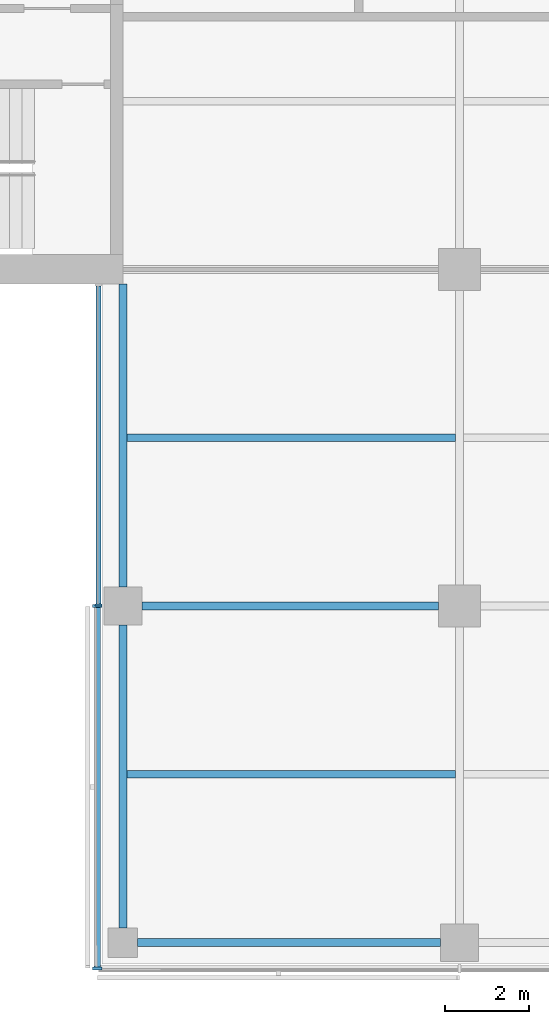
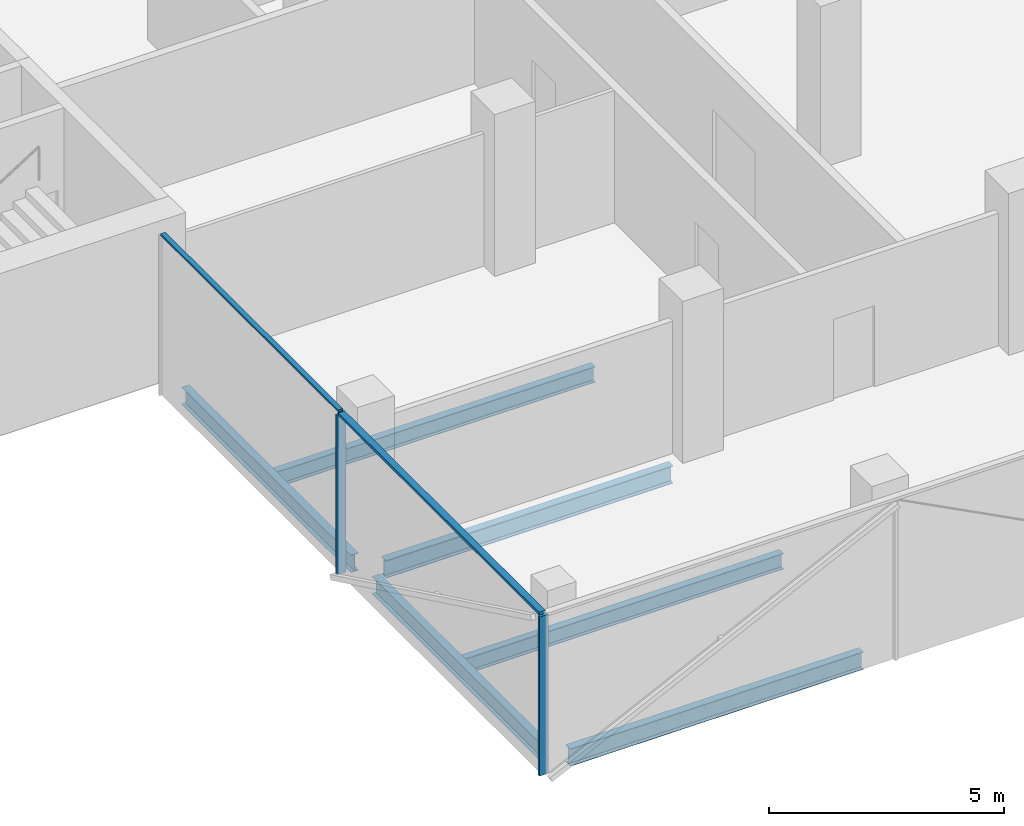
# One storey, part 2 of 22: 6 beams, 5 members, 2 elements without a shape of their own.
"""IFC4 building model written with IfcOpenShell, lengths in metres."""

from ifc_helpers import new_model, si_unit, direction, frame, origin, origin_2d, place, context, subcontext, project, spatial, rectangle, i_section, extrude, material, material_profile, profile_set, type_object, element, aggregate, save


model = new_model("IFC4")

# Units and contexts
model_context = context("Model", 3, precision=1e-05, world=origin(), true_north=direction((0.0, 1.0)))
body_context = subcontext(model_context, "Body", "Model", "MODEL_VIEW")
ifc_project = project(units=[si_unit("LENGTHUNIT", "METRE"), si_unit("AREAUNIT", "SQUARE_METRE"), si_unit("VOLUMEUNIT", "CUBIC_METRE"), si_unit("PLANEANGLEUNIT", "RADIAN"), si_unit("MASSUNIT", "GRAM", prefix="KILO")], contexts=[model_context])

# Site, building, storey
site_placement = place(None, origin())
site = spatial("IfcSite", under=ifc_project, at=site_placement, CompositionType="ELEMENT")
building_placement = place(site_placement, origin())
building = spatial("IfcBuilding", under=site, at=building_placement, Name="Crosswind Convention Tower", CompositionType="ELEMENT")
storey_placement = place(building_placement, frame((0.0, 0.0, 142.10009765625)))
storey = spatial("IfcBuildingStorey", under=building, at=storey_placement, Name="L29", CompositionType="ELEMENT", Elevation=142.10009765625)

# Beams
ifc_material_1 = material(Name="Steel S355", Category="steel")
ifc_material_profile_1 = material_profile(ifc_material_1, i_section(OverallWidth=0.18994140625, OverallDepth=0.45361328125, WebThickness=0.008544921875, FlangeThickness=0.0126953125, FilletRadius=0.01025390625, at=origin_2d()), Name="UB 457x191x67")
ifc_profile_set_1 = profile_set([ifc_material_profile_1], Name="Steel S355")
beam_type_1 = type_object("IfcBeamType", Name="Edge beam UB 457x191x67", PredefinedType="SPANDREL", material=ifc_profile_set_1)
for number, where, z_axis, x_axis, name in (
    (1, (113.0, 72.35009765625, -0.52685546875), (0.0, 1.0, 0.0), (-1.0, 0.0, 0.0), "B16 L29 edge beam 6"),
    (2, (113.0, 80.449951171875, -0.52685546875), (0.0, 1.0, 0.0), (-1.0, 0.0, 0.0), "B16 L29 edge beam 7"),
    (3, (113.35009765625, 72.0, -0.52685546875), (1.0, 0.0, 0.0), (0.0, 1.0, 0.0), "B16 L29 edge beam 10"),
):
    element("IfcBeam", number, at=place(storey_placement, frame(where, z_axis=z_axis, x_axis=x_axis)), inside=storey, type_object=beam_type_1, Name=name, PredefinedType="SPANDREL", context=body_context, shape_type="SweptSolid", body=[
        extrude(i_section(OverallWidth=0.18994140625, OverallDepth=0.45361328125, WebThickness=0.008544921875, FlangeThickness=0.0126953125, FilletRadius=0.01025390625, at=origin_2d()), origin(), (0.0, 0.0, 1.0), 7.199951171875),
    ])
ifc_material_profile_2 = material_profile(ifc_material_1, i_section(OverallWidth=0.19140625, OverallDepth=0.460205078125, WebThickness=0.010009765625, FlangeThickness=0.01611328125, FilletRadius=0.01025390625, at=origin_2d()), Name="UB 457x191x82")
ifc_profile_set_2 = profile_set([ifc_material_profile_2], Name="Steel S355")
beam_type_2 = type_object("IfcBeamType", Name="Girder UB 457x191x82", PredefinedType="BEAM", material=ifc_profile_set_2)
beam_placement = place(storey_placement, frame((113.449951171875, 80.0, -0.5302734375), z_axis=(1.0, 0.0, 0.0), x_axis=(0.0, 1.0, 0.0)))
element("IfcBeam", 4, at=beam_placement, inside=storey, type_object=beam_type_2, Name="B3 L29 girder 1", PredefinedType="BEAM", context=body_context, shape_type="SweptSolid", body=[
    extrude(i_section(OverallWidth=0.19140625, OverallDepth=0.460205078125, WebThickness=0.010009765625, FlangeThickness=0.01611328125, FilletRadius=0.01025390625, at=origin_2d()), origin(), (0.0, 0.0, 1.0), 7.050048828125),
])

# Curtain wall, member
ifc_material_2 = material(Name="Aluminium unitised curtain wall", Category="aluminium")
curtain_wall_type_1 = type_object("IfcCurtainWallType", Name="CORE END SLOT WALL 160", PredefinedType="USERDEFINED", material=ifc_material_2)
curtain_wall_1_placement = place(storey_placement, origin())
curtain_wall_1 = element("IfcCurtainWall", 5, at=curtain_wall_1_placement, inside=storey, type_object=curtain_wall_type_1, Name="CW6 L29 S-W.1-1 slot", ObjectType="UNITISED", PredefinedType="USERDEFINED")
ifc_material_3 = material(Name="Aluminium mullion", Category="aluminium")
ifc_material_profile_3 = material_profile(ifc_material_3, rectangle(XDim=0.159912109375, YDim=0.050048828125, at=origin_2d()), Name="AL 160X50")
ifc_profile_set_3 = profile_set([ifc_material_profile_3], Name="Aluminium mullion")
member_type_1 = type_object("IfcMemberType", Name="MULLION 50X160", PredefinedType="MULLION", material=ifc_profile_set_3)
member_1_placement = place(storey_placement, frame((112.419921875, 80.02490234375, -0.300048828125), z_axis=(0.0, 0.0, 1.0), x_axis=(-1.0, 0.0, 0.0)))
member_1 = element("IfcMember", 6, at=member_1_placement, type_object=member_type_1, Name="CW6 mullion 2", PredefinedType="MULLION", context=body_context, shape_type="SweptSolid", body=[
    extrude(rectangle(XDim=0.159912109375, YDim=0.050048828125, at=origin_2d()), origin(), (0.0, 0.0, 1.0), 4.14990234375),
])

# Curtain wall, members
curtain_wall_type_2 = type_object("IfcCurtainWallType", Name="OFFICE UNITISED WALL 220", PredefinedType="USERDEFINED", material=ifc_material_2)
curtain_wall_2_placement = place(storey_placement, origin())
curtain_wall_2 = element("IfcCurtainWall", 7, at=curtain_wall_2_placement, inside=storey, type_object=curtain_wall_type_2, Name="CW3 L29 S-W 1", ObjectType="UNITISED", PredefinedType="USERDEFINED")
ifc_material_profile_4 = material_profile(ifc_material_3, rectangle(XDim=0.219970703125, YDim=0.070068359375, at=origin_2d()), Name="AL 220X70")
ifc_profile_set_4 = profile_set([ifc_material_profile_4], Name="Aluminium mullion")
member_type_2 = type_object("IfcMemberType", Name="MULLION 70X220", PredefinedType="MULLION", material=ifc_profile_set_4)
member_2_placement = place(storey_placement, frame((112.389892578125, 80.0, -0.300048828125), z_axis=(0.0, 0.0, 1.0), x_axis=(-1.0, 0.0, 0.0)))
member_2 = element("IfcMember", 8, at=member_2_placement, type_object=member_type_2, Name="CW3 mullion 1", PredefinedType="MULLION", context=body_context, shape_type="SweptSolid", body=[
    extrude(rectangle(XDim=0.219970703125, YDim=0.070068359375, at=origin_2d()), origin(), (0.0, 0.0, 1.0), 4.1298828125),
])
member_3_placement = place(storey_placement, frame((112.389892578125, 71.389892578125, -0.300048828125), z_axis=(0.0, 0.0, 1.0), x_axis=(-1.0, 0.0, 0.0)))
member_3 = element("IfcMember", 9, at=member_3_placement, type_object=member_type_2, Name="CW3 mullion 2", PredefinedType="MULLION", context=body_context, shape_type="SweptSolid", body=[
    extrude(rectangle(XDim=0.219970703125, YDim=0.070068359375, at=origin_2d()), origin(), (0.0, 0.0, 1.0), 4.1298828125),
])

# Beams
ifc_material_profile_5 = material_profile(ifc_material_1, i_section(OverallWidth=0.177734375, OverallDepth=0.406494140625, WebThickness=0.0078125, FlangeThickness=0.0126953125, FilletRadius=0.01025390625, at=origin_2d()), Name="UB 406x178x60")
ifc_profile_set_5 = profile_set([ifc_material_profile_5], Name="Steel S355")
beam_type_3 = type_object("IfcBeamType", Name="Secondary beam UB 406x178x60", PredefinedType="JOIST", material=ifc_profile_set_5)
for number, where, z_axis, x_axis, name in (
    (10, (113.094970703125, 76.0, -0.50341796875), (1.0, 0.0, 0.0), (0.0, 1.0, 0.0), "B10 L29 secondary beam 7"),
    (11, (113.094970703125, 84.0, -0.50341796875), (1.0, 0.0, 0.0), (0.0, 1.0, 0.0), "B10 L29 secondary beam 8"),
):
    element("IfcBeam", number, at=place(storey_placement, frame(where, z_axis=z_axis, x_axis=x_axis)), inside=storey, type_object=beam_type_3, Name=name, PredefinedType="JOIST", context=body_context, shape_type="SweptSolid", body=[
        extrude(i_section(OverallWidth=0.177734375, OverallDepth=0.406494140625, WebThickness=0.0078125, FlangeThickness=0.0126953125, FilletRadius=0.01025390625, at=origin_2d()), origin(), (0.0, 0.0, 1.0), 7.809326171875),
    ])

# Member
ifc_material_4 = material(Name="Aluminium transom", Category="aluminium")
ifc_material_profile_6 = material_profile(ifc_material_4, rectangle(XDim=0.1201171875, YDim=0.050048828125, at=origin_2d()), Name="AL 120X50")
ifc_profile_set_6 = profile_set([ifc_material_profile_6], Name="Aluminium transom")
member_type_3 = type_object("IfcMemberType", Name="TRANSOM 50X120", PredefinedType="USERDEFINED", material=ifc_profile_set_6)
member_4_placement = place(storey_placement, frame((112.419921875, 87.60009765625, 3.875), z_axis=(0.0, -1.0, 0.0), x_axis=(1.0, 0.0, 0.0)))
member_4 = element("IfcMember", 12, at=member_4_placement, type_object=member_type_3, Name="CW6 transom", ObjectType="TRANSOM", PredefinedType="USERDEFINED", context=body_context, shape_type="SweptSolid", body=[
    extrude(rectangle(XDim=0.1201171875, YDim=0.050048828125, at=origin_2d()), origin(), (0.0, 0.0, 1.0), 7.550048828125),
])

aggregate(curtain_wall_1, [member_1, member_4])

ifc_material_profile_7 = material_profile(ifc_material_4, rectangle(XDim=0.159912109375, YDim=0.070068359375, at=origin_2d()), Name="AL 160X70")
ifc_profile_set_7 = profile_set([ifc_material_profile_7], Name="Aluminium transom")
member_type_4 = type_object("IfcMemberType", Name="TRANSOM 70X160", PredefinedType="USERDEFINED", material=ifc_profile_set_7)
member_5_placement = place(storey_placement, frame((112.389892578125, 79.965087890625, 3.864990234375), z_axis=(0.0, -1.0, 0.0), x_axis=(1.0, 0.0, 0.0)))
member_5 = element("IfcMember", 13, at=member_5_placement, type_object=member_type_4, Name="CW3 transom", ObjectType="TRANSOM", PredefinedType="USERDEFINED", context=body_context, shape_type="SweptSolid", body=[
    extrude(rectangle(XDim=0.159912109375, YDim=0.070068359375, at=origin_2d()), origin(), (0.0, 0.0, 1.0), 8.5400390625),
])

aggregate(curtain_wall_2, [member_2, member_3, member_5])

save(model, "model.ifc")
